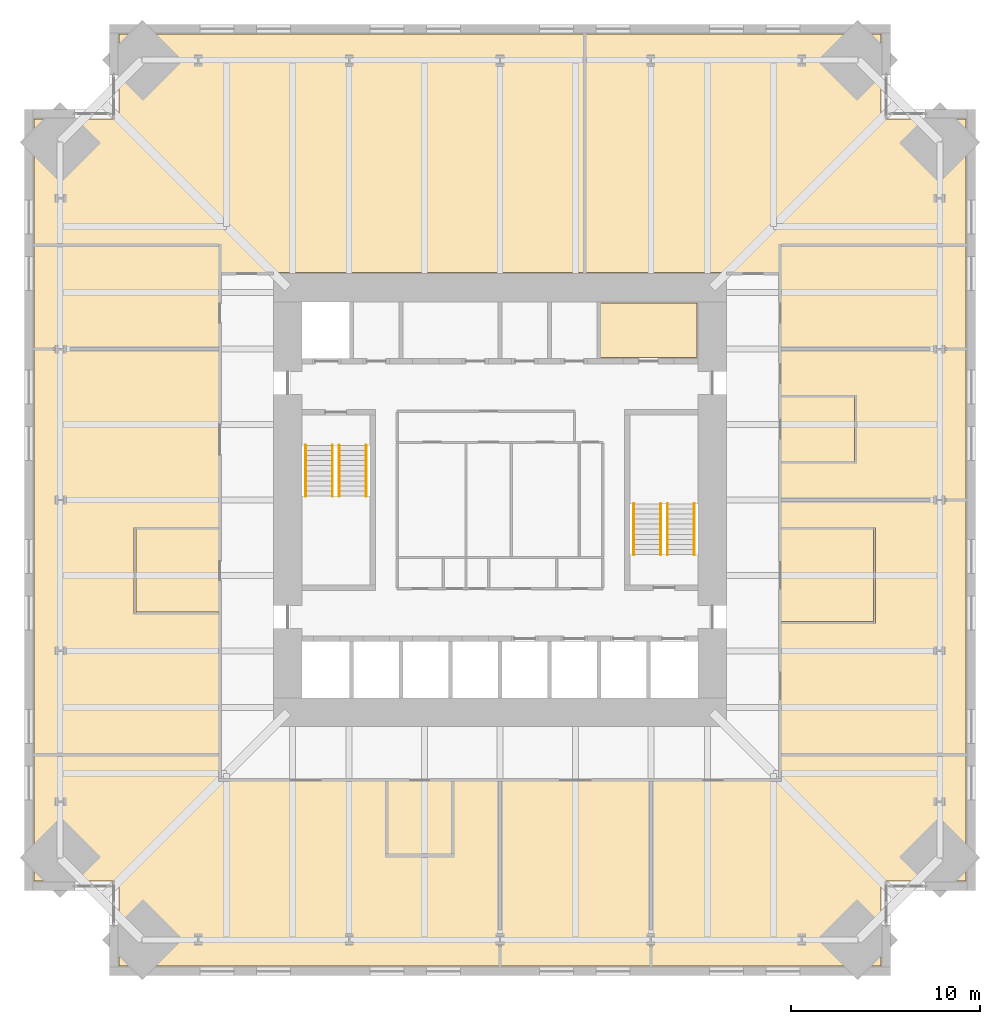
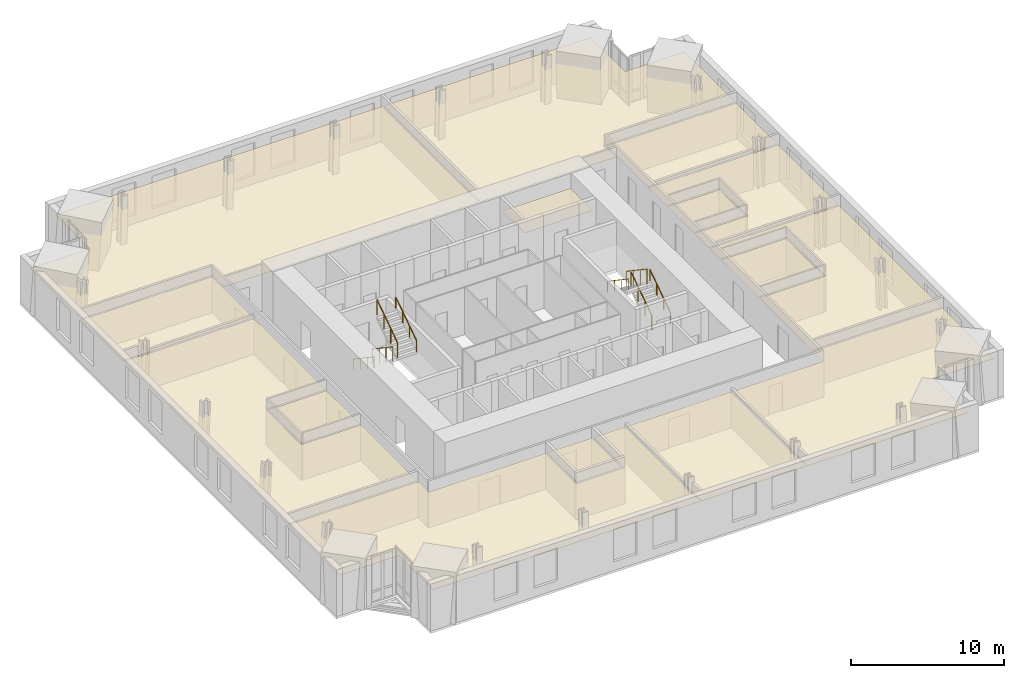
# One storey, part 15 of 15: 15 coverings, 8 railings.
"""IFC4 building model written with IfcOpenShell, lengths in metres."""

from ifc_helpers import new_model, si_unit, direction, frame, origin, origin_2d, place, context, subcontext, project, spatial, polyline, circle, outline, extrude, material, layer, layer_set, type_object, element, save


model = new_model("IFC4")

# Units and contexts
model_context = context("Model", 3, precision=1e-05, world=origin(), true_north=direction((0.0, 1.0)))
body_context = subcontext(model_context, "Body", "Model", "MODEL_VIEW")
ifc_project = project(units=[si_unit("LENGTHUNIT", "METRE"), si_unit("AREAUNIT", "SQUARE_METRE"), si_unit("VOLUMEUNIT", "CUBIC_METRE"), si_unit("PLANEANGLEUNIT", "RADIAN"), si_unit("MASSUNIT", "GRAM", prefix="KILO")], contexts=[model_context])

# Site, building, storey
site_placement = place(None, origin())
site = spatial("IfcSite", under=ifc_project, at=site_placement, CompositionType="ELEMENT")
building_placement = place(site_placement, origin())
building = spatial("IfcBuilding", under=site, at=building_placement, Name="Peilmerk Tower", CompositionType="ELEMENT")
storey_placement = place(building_placement, frame((0.0, 0.0, 187.800048828125)))
storey = spatial("IfcBuildingStorey", under=building, at=storey_placement, Name="L40", CompositionType="ELEMENT", Elevation=187.800048828125)

# Coverings
ifc_material_1 = material(Name="Mineral fibre ceiling tiles", Category="mineral")
ifc_layer = layer(ifc_material_1, 0.02490234375)
ifc_layer_set = layer_set([ifc_layer], Name="Mineral fibre ceiling tiles")
covering_type = type_object("IfcCoveringType", Name="CL1 25 suspended ceiling", PredefinedType="CEILING", material=ifc_layer_set)
covering_1_placement = place(storey_placement, frame((0.0, 0.0, 2.824951171875)))
element("IfcCovering", 1, at=covering_1_placement, inside=storey, type_object=covering_type, Name="Suspended ceiling Open workspace", PredefinedType="CEILING", context=body_context, shape_type="SweptSolid", body=[
    extrude(outline(polyline([(-24.699951171875, 20.199951171875), (-24.699951171875, 13.550048828125), (-14.800048828125, 13.550048828125), (-14.800048828125, 12.050048828125), (4.449951171875, 12.050048828125), (4.449951171875, 24.699951171875), (-20.199951171875, 24.699951171875), (-20.199951171875, 20.199951171875), (-24.699951171875, 20.199951171875)])), origin(), (0.0, 0.0, 1.0), 0.02490234375),
])
covering_2_placement = place(storey_placement, frame((0.0, 0.0, 2.824951171875)))
element("IfcCovering", 2, at=covering_2_placement, inside=storey, type_object=covering_type, Name="Suspended ceiling Project room", PredefinedType="CEILING", context=body_context, shape_type="SweptSolid", body=[
    extrude(outline(polyline([(20.199951171875, 24.699951171875), (4.550048828125, 24.699951171875), (4.550048828125, 12.050048828125), (14.800048828125, 12.050048828125), (14.800048828125, 13.550048828125), (24.699951171875, 13.550048828125), (24.699951171875, 20.199951171875), (20.199951171875, 20.199951171875), (20.199951171875, 24.699951171875)])), origin(), (0.0, 0.0, 1.0), 0.02490234375),
])
covering_3_placement = place(storey_placement, frame((0.0, 0.0, 2.824951171875)))
element("IfcCovering", 3, at=covering_3_placement, inside=storey, type_object=covering_type, Name="Suspended ceiling Reception", PredefinedType="CEILING", context=body_context, shape_type="SweptSolid", body=[
    extrude(outline(polyline([(-20.199951171875, -20.199951171875), (-20.199951171875, -24.699951171875), (-0.050048828125, -24.699951171875), (-0.050048828125, -14.89990234375), (-2.449951171875, -14.89990234375), (-2.449951171875, -18.89990234375), (-6.050048828125, -18.89990234375), (-6.050048828125, -14.89990234375), (-14.89990234375, -14.89990234375), (-14.89990234375, -13.550048828125), (-24.699951171875, -13.550048828125), (-24.699951171875, -20.199951171875), (-20.199951171875, -20.199951171875)])), origin(), (0.0, 0.0, 1.0), 0.02490234375),
])
covering_4_placement = place(storey_placement, frame((0.0, 0.0, 2.824951171875)))
element("IfcCovering", 4, at=covering_4_placement, inside=storey, type_object=covering_type, Name="Suspended ceiling Open workspace", PredefinedType="CEILING", context=body_context, shape_type="SweptSolid", body=[
    extrude(outline(polyline([(0.050048828125, -24.699951171875), (7.949951171875, -24.699951171875), (7.949951171875, -14.89990234375), (0.050048828125, -14.89990234375), (0.050048828125, -24.699951171875)])), origin(), (0.0, 0.0, 1.0), 0.02490234375),
])
covering_5_placement = place(storey_placement, frame((0.0, 0.0, 2.824951171875)))
element("IfcCovering", 5, at=covering_5_placement, inside=storey, type_object=covering_type, Name="Suspended ceiling Office", PredefinedType="CEILING", context=body_context, shape_type="SweptSolid", body=[
    extrude(outline(polyline([(8.050048828125, -24.699951171875), (20.199951171875, -24.699951171875), (20.199951171875, -20.199951171875), (24.699951171875, -20.199951171875), (24.699951171875, -13.550048828125), (14.89990234375, -13.550048828125), (14.89990234375, -14.89990234375), (8.050048828125, -14.89990234375), (8.050048828125, -24.699951171875)])), origin(), (0.0, 0.0, 1.0), 0.02490234375),
])
covering_6_placement = place(storey_placement, frame((0.0, 0.0, 2.824951171875)))
element("IfcCovering", 6, at=covering_6_placement, inside=storey, type_object=covering_type, Name="Suspended ceiling Interview room", PredefinedType="CEILING", context=body_context, shape_type="SweptSolid", body=[
    extrude(outline(polyline([(-2.550048828125, -18.800048828125), (-2.550048828125, -14.89990234375), (-5.949951171875, -14.89990234375), (-5.949951171875, -18.800048828125), (-2.550048828125, -18.800048828125)])), origin(), (0.0, 0.0, 1.0), 0.02490234375),
])
covering_7_placement = place(storey_placement, frame((0.0, 0.0, 2.824951171875)))
element("IfcCovering", 7, at=covering_7_placement, inside=storey, type_object=covering_type, Name="Suspended ceiling Library", PredefinedType="CEILING", context=body_context, shape_type="SweptSolid", body=[
    extrude(outline(polyline([(14.89990234375, -13.449951171875), (24.699951171875, -13.449951171875), (24.699951171875, -0.050048828125), (14.89990234375, -0.050048828125), (14.89990234375, -1.449951171875), (19.89990234375, -1.449951171875), (19.89990234375, -6.550048828125), (14.89990234375, -6.550048828125), (14.89990234375, -13.449951171875)])), origin(), (0.0, 0.0, 1.0), 0.02490234375),
])
covering_8_placement = place(storey_placement, frame((0.0, 0.0, 2.824951171875)))
element("IfcCovering", 8, at=covering_8_placement, inside=storey, type_object=covering_type, Name="Suspended ceiling Office", PredefinedType="CEILING", context=body_context, shape_type="SweptSolid", body=[
    extrude(outline(polyline([(14.89990234375, 0.050048828125), (24.699951171875, 0.050048828125), (24.699951171875, 7.949951171875), (14.89990234375, 7.949951171875), (14.89990234375, 5.550048828125), (18.89990234375, 5.550048828125), (18.89990234375, 1.949951171875), (14.89990234375, 1.949951171875), (14.89990234375, 0.050048828125)])), origin(), (0.0, 0.0, 1.0), 0.02490234375),
])
covering_9_placement = place(storey_placement, frame((0.0, 0.0, 2.824951171875)))
element("IfcCovering", 9, at=covering_9_placement, inside=storey, type_object=covering_type, Name="Suspended ceiling Office", PredefinedType="CEILING", context=body_context, shape_type="SweptSolid", body=[
    extrude(outline(polyline([(24.699951171875, 8.050048828125), (24.699951171875, 13.449951171875), (14.89990234375, 13.449951171875), (14.89990234375, 8.050048828125), (24.699951171875, 8.050048828125)])), origin(), (0.0, 0.0, 1.0), 0.02490234375),
])
covering_10_placement = place(storey_placement, frame((0.0, 0.0, 2.824951171875)))
element("IfcCovering", 10, at=covering_10_placement, inside=storey, type_object=covering_type, Name="Suspended ceiling Board room", PredefinedType="CEILING", context=body_context, shape_type="SweptSolid", body=[
    extrude(outline(polyline([(19.800048828125, -6.449951171875), (19.800048828125, -1.550048828125), (14.89990234375, -1.550048828125), (14.89990234375, -6.449951171875), (19.800048828125, -6.449951171875)])), origin(), (0.0, 0.0, 1.0), 0.02490234375),
])
covering_11_placement = place(storey_placement, frame((0.0, 0.0, 2.824951171875)))
element("IfcCovering", 11, at=covering_11_placement, inside=storey, type_object=covering_type, Name="Suspended ceiling Pantry", PredefinedType="CEILING", context=body_context, shape_type="SweptSolid", body=[
    extrude(outline(polyline([(18.800048828125, 2.050048828125), (18.800048828125, 5.449951171875), (14.89990234375, 5.449951171875), (14.89990234375, 2.050048828125), (18.800048828125, 2.050048828125)])), origin(), (0.0, 0.0, 1.0), 0.02490234375),
])
covering_12_placement = place(storey_placement, frame((0.0, 0.0, 2.824951171875)))
element("IfcCovering", 12, at=covering_12_placement, inside=storey, type_object=covering_type, Name="Suspended ceiling Open workspace", PredefinedType="CEILING", context=body_context, shape_type="SweptSolid", body=[
    extrude(outline(polyline([(-14.89990234375, 7.949951171875), (-24.699951171875, 7.949951171875), (-24.699951171875, -13.449951171875), (-14.89990234375, -13.449951171875), (-14.89990234375, -6.050048828125), (-19.39990234375, -6.050048828125), (-19.39990234375, -1.449951171875), (-14.89990234375, -1.449951171875), (-14.89990234375, 7.949951171875)])), origin(), (0.0, 0.0, 1.0), 0.02490234375),
])
covering_13_placement = place(storey_placement, frame((0.0, 0.0, 2.824951171875)))
element("IfcCovering", 13, at=covering_13_placement, inside=storey, type_object=covering_type, Name="Suspended ceiling Project room", PredefinedType="CEILING", context=body_context, shape_type="SweptSolid", body=[
    extrude(outline(polyline([(-24.699951171875, 13.449951171875), (-24.699951171875, 8.050048828125), (-14.89990234375, 8.050048828125), (-14.89990234375, 13.449951171875), (-24.699951171875, 13.449951171875)])), origin(), (0.0, 0.0, 1.0), 0.02490234375),
])
covering_14_placement = place(storey_placement, frame((0.0, 0.0, 2.824951171875)))
element("IfcCovering", 14, at=covering_14_placement, inside=storey, type_object=covering_type, Name="Suspended ceiling Meeting room", PredefinedType="CEILING", context=body_context, shape_type="SweptSolid", body=[
    extrude(outline(polyline([(-14.89990234375, -5.949951171875), (-14.89990234375, -1.550048828125), (-19.300048828125, -1.550048828125), (-19.300048828125, -5.949951171875), (-14.89990234375, -5.949951171875)])), origin(), (0.0, 0.0, 1.0), 0.02490234375),
])
covering_15_placement = place(storey_placement, frame((0.0, 0.0, 2.824951171875)))
element("IfcCovering", 15, at=covering_15_placement, inside=storey, type_object=covering_type, Name="Suspended ceiling Pantry", PredefinedType="CEILING", context=body_context, shape_type="SweptSolid", body=[
    extrude(outline(polyline([(10.448974609375, 7.551025390625), (10.448974609375, 10.448974609375), (5.301025390625, 10.448974609375), (5.301025390625, 7.551025390625), (10.448974609375, 7.551025390625)])), origin(), (0.0, 0.0, 1.0), 0.02490234375),
])

# Railings
ifc_material_2 = material(Name="Steel flat bar balustrade", Category="steel")
railing_type_1 = type_object("IfcRailingType", Name="GR1 1200 stair guard", PredefinedType="GUARDRAIL", material=ifc_material_2)
railing_1_placement = place(storey_placement, frame((-8.8798828125, 2.89990234375, 0.181884765625)))
element("IfcRailing", 16, at=railing_1_placement, inside=storey, type_object=railing_type_1, Name="Guard stair 1 L40", PredefinedType="GUARDRAIL", context=body_context, shape_type="SweptSolid", body=[
    extrude(circle(Radius=0.02392578125, at=origin_2d()), frame((0.0, 0.0, 1.17578125), z_axis=(0.0, -0.829468130872, 0.55855404382), x_axis=(1.0, 0.0, 0.0)), (0.0, 0.0, 1.0), 3.255126953125),
    extrude(circle(Radius=0.02099609375, at=origin_2d()), origin(), (0.0, 0.0, 1.0), 1.15185546875),
    extrude(circle(Radius=0.02099609375, at=origin_2d()), frame((0.0, -0.89990234375, 0.60595703125)), (0.0, 0.0, 1.0), 1.15185546875),
    extrude(circle(Radius=0.02099609375, at=origin_2d()), frame((0.0, -1.800048828125, 1.212158203125)), (0.0, 0.0, 1.0), 1.15185546875),
    extrude(circle(Radius=0.02099609375, at=origin_2d()), frame((0.0, -2.699951171875, 1.818115234375)), (0.0, 0.0, 1.0), 1.15185546875),
])
for number, where, name in (
    (17, (-8.52001953125, 0.199951171875, 2.181884765625), "Guard stair 1 L40"),
    (18, (8.8798828125, -2.89990234375, 0.181884765625), "Guard stair 2 L40"),
):
    element("IfcRailing", number, at=place(storey_placement, frame(where)), inside=storey, type_object=railing_type_1, Name=name, PredefinedType="GUARDRAIL", context=body_context, shape_type="SweptSolid", body=[
        extrude(circle(Radius=0.02392578125, at=origin_2d()), frame((0.0, 0.0, 1.17578125), z_axis=(0.0, 0.829468130872, 0.55855404382), x_axis=(-1.0, 0.0, 0.0)), (0.0, 0.0, 1.0), 3.255126953125),
        extrude(circle(Radius=0.02099609375, at=origin_2d()), origin(), (0.0, 0.0, 1.0), 1.15185546875),
        extrude(circle(Radius=0.02099609375, at=origin_2d()), frame((0.0, 0.89990234375, 0.60595703125)), (0.0, 0.0, 1.0), 1.15185546875),
        extrude(circle(Radius=0.02099609375, at=origin_2d()), frame((0.0, 1.800048828125, 1.212158203125)), (0.0, 0.0, 1.0), 1.15185546875),
        extrude(circle(Radius=0.02099609375, at=origin_2d()), frame((0.0, 2.699951171875, 1.818115234375)), (0.0, 0.0, 1.0), 1.15185546875),
    ])
railing_2_placement = place(storey_placement, frame((8.52001953125, -0.199951171875, 2.181884765625)))
element("IfcRailing", 19, at=railing_2_placement, inside=storey, type_object=railing_type_1, Name="Guard stair 2 L40", PredefinedType="GUARDRAIL", context=body_context, shape_type="SweptSolid", body=[
    extrude(circle(Radius=0.02392578125, at=origin_2d()), frame((0.0, 0.0, 1.17578125), z_axis=(0.0, -0.829468130872, 0.55855404382), x_axis=(1.0, 0.0, 0.0)), (0.0, 0.0, 1.0), 3.255126953125),
    extrude(circle(Radius=0.02099609375, at=origin_2d()), origin(), (0.0, 0.0, 1.0), 1.15185546875),
    extrude(circle(Radius=0.02099609375, at=origin_2d()), frame((0.0, -0.89990234375, 0.60595703125)), (0.0, 0.0, 1.0), 1.15185546875),
    extrude(circle(Radius=0.02099609375, at=origin_2d()), frame((0.0, -1.800048828125, 1.212158203125)), (0.0, 0.0, 1.0), 1.15185546875),
    extrude(circle(Radius=0.02099609375, at=origin_2d()), frame((0.0, -2.699951171875, 1.818115234375)), (0.0, 0.0, 1.0), 1.15185546875),
])
ifc_material_3 = material(Name="Stainless steel tube", Category="steel")
railing_type_2 = type_object("IfcRailingType", Name="HR1 900 stair handrail", PredefinedType="HANDRAIL", material=ifc_material_3)
railing_3_placement = place(storey_placement, frame((-10.300048828125, 2.89990234375, 0.181884765625)))
element("IfcRailing", 20, at=railing_3_placement, inside=storey, type_object=railing_type_2, Name="Handrail stair 1 L40", PredefinedType="HANDRAIL", context=body_context, shape_type="SweptSolid", body=[
    extrude(circle(Radius=0.02392578125, at=origin_2d()), frame((0.0, 0.0, 0.8759765625), z_axis=(0.0, -0.829468130872, 0.55855404382), x_axis=(1.0, 0.0, 0.0)), (0.0, 0.0, 1.0), 3.255126953125),
    extrude(circle(Radius=0.02099609375, at=origin_2d()), origin(), (0.0, 0.0, 1.0), 0.851806640625),
    extrude(circle(Radius=0.02099609375, at=origin_2d()), frame((0.0, -0.89990234375, 0.60595703125)), (0.0, 0.0, 1.0), 0.851806640625),
    extrude(circle(Radius=0.02099609375, at=origin_2d()), frame((0.0, -1.800048828125, 1.212158203125)), (0.0, 0.0, 1.0), 0.851806640625),
    extrude(circle(Radius=0.02099609375, at=origin_2d()), frame((0.0, -2.699951171875, 1.818115234375)), (0.0, 0.0, 1.0), 0.851806640625),
])
for number, where, name in (
    (21, (-7.10009765625, 0.199951171875, 2.181884765625), "Handrail stair 1 L40"),
    (22, (10.300048828125, -2.89990234375, 0.181884765625), "Handrail stair 2 L40"),
):
    element("IfcRailing", number, at=place(storey_placement, frame(where)), inside=storey, type_object=railing_type_2, Name=name, PredefinedType="HANDRAIL", context=body_context, shape_type="SweptSolid", body=[
        extrude(circle(Radius=0.02392578125, at=origin_2d()), frame((0.0, 0.0, 0.8759765625), z_axis=(0.0, 0.829468130872, 0.55855404382), x_axis=(-1.0, 0.0, 0.0)), (0.0, 0.0, 1.0), 3.255126953125),
        extrude(circle(Radius=0.02099609375, at=origin_2d()), origin(), (0.0, 0.0, 1.0), 0.851806640625),
        extrude(circle(Radius=0.02099609375, at=origin_2d()), frame((0.0, 0.89990234375, 0.60595703125)), (0.0, 0.0, 1.0), 0.851806640625),
        extrude(circle(Radius=0.02099609375, at=origin_2d()), frame((0.0, 1.800048828125, 1.212158203125)), (0.0, 0.0, 1.0), 0.851806640625),
        extrude(circle(Radius=0.02099609375, at=origin_2d()), frame((0.0, 2.699951171875, 1.818115234375)), (0.0, 0.0, 1.0), 0.851806640625),
    ])
railing_4_placement = place(storey_placement, frame((7.10009765625, -0.199951171875, 2.181884765625)))
element("IfcRailing", 23, at=railing_4_placement, inside=storey, type_object=railing_type_2, Name="Handrail stair 2 L40", PredefinedType="HANDRAIL", context=body_context, shape_type="SweptSolid", body=[
    extrude(circle(Radius=0.02392578125, at=origin_2d()), frame((0.0, 0.0, 0.8759765625), z_axis=(0.0, -0.829468130872, 0.55855404382), x_axis=(1.0, 0.0, 0.0)), (0.0, 0.0, 1.0), 3.255126953125),
    extrude(circle(Radius=0.02099609375, at=origin_2d()), origin(), (0.0, 0.0, 1.0), 0.851806640625),
    extrude(circle(Radius=0.02099609375, at=origin_2d()), frame((0.0, -0.89990234375, 0.60595703125)), (0.0, 0.0, 1.0), 0.851806640625),
    extrude(circle(Radius=0.02099609375, at=origin_2d()), frame((0.0, -1.800048828125, 1.212158203125)), (0.0, 0.0, 1.0), 0.851806640625),
    extrude(circle(Radius=0.02099609375, at=origin_2d()), frame((0.0, -2.699951171875, 1.818115234375)), (0.0, 0.0, 1.0), 0.851806640625),
])

save(model, "model.ifc")
